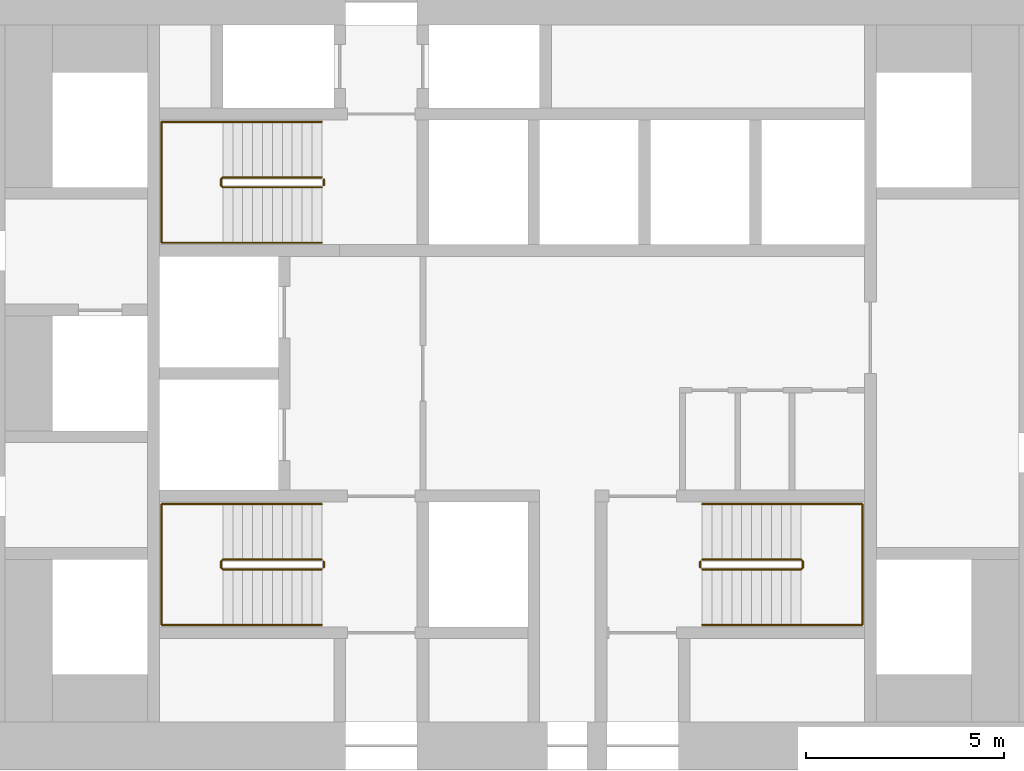
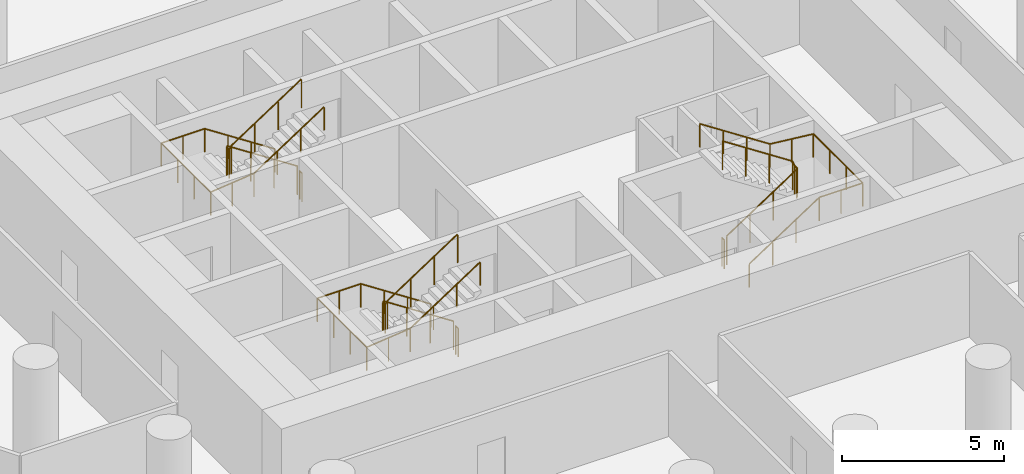
# One storey, part 12 of 12: 9 railings.
"""IFC4 building model written with IfcOpenShell, lengths in metres."""

from ifc_helpers import new_model, si_unit, direction, frame, origin, origin_2d, place, context, subcontext, project, spatial, circle, extrude, material, type_object, element, save


model = new_model("IFC4")

# Units and contexts
model_context = context("Model", 3, precision=1e-05, world=origin(), true_north=direction((0.0, 1.0)))
body_context = subcontext(model_context, "Body", "Model", "MODEL_VIEW")
ifc_project = project(units=[si_unit("LENGTHUNIT", "METRE"), si_unit("AREAUNIT", "SQUARE_METRE"), si_unit("VOLUMEUNIT", "CUBIC_METRE"), si_unit("PLANEANGLEUNIT", "RADIAN"), si_unit("MASSUNIT", "GRAM", prefix="KILO")], contexts=[model_context])

# Site, building, storey
site_placement = place(None, origin())
site = spatial("IfcSite", under=ifc_project, at=site_placement, CompositionType="ELEMENT")
building_placement = place(site_placement, origin())
building = spatial("IfcBuilding", under=site, at=building_placement, Name="Tracery Tower", CompositionType="ELEMENT")
storey_placement = place(building_placement, frame((0.0, 0.0, 103.800048828125)))
storey = spatial("IfcBuildingStorey", under=building, at=storey_placement, Name="L26", CompositionType="ELEMENT", Elevation=103.800048828125)

# Railings
ifc_material_1 = material(Name="Stainless steel and laminated glass", Category="steel")
railing_type_1 = type_object("IfcRailingType", Name="Stair guard 1100", PredefinedType="GUARDRAIL", material=ifc_material_1)
railing_1_placement = place(storey_placement, frame((-4.800048828125, -4.699951171875, 0.16357421875)))
element("IfcRailing", 1, at=railing_1_placement, inside=storey, type_object=railing_type_1, Name="L26 stair ST1 guard 1", PredefinedType="GUARDRAIL", context=body_context, shape_type="SweptSolid", body=[
    extrude(circle(Radius=0.02392578125, at=origin_2d()), frame((0.0, 0.0, 1.076171875), z_axis=(-0.83668449804, 0.0, 0.54768517484), x_axis=(0.0, -1.0, 0.0)), (0.0, 0.0, 1.0), 2.988037109375),
    extrude(circle(Radius=0.02392578125, at=origin_2d()), frame((-2.5, 0.0, 2.71240234375), z_axis=(-0.707106781187, -0.707106781187, 0.0), x_axis=(0.707106781187, -0.707106781187, 0.0)), (0.0, 0.0, 1.0), 0.07080078125),
    extrude(circle(Radius=0.02392578125, at=origin_2d()), frame((-2.550048828125, -0.050048828125, 2.71240234375), z_axis=(0.0, -1.0, 0.0), x_axis=(1.0, 0.0, 0.0)), (0.0, 0.0, 1.0), 0.14990234375),
    extrude(circle(Radius=0.02392578125, at=origin_2d()), frame((-2.550048828125, -0.199951171875, 2.71240234375), z_axis=(0.280808744504, -0.280808744504, 0.917765164963), x_axis=(0.707106781187, 0.707106781187, 0.0)), (0.0, 0.0, 1.0), 0.17822265625),
    extrude(circle(Radius=0.02392578125, at=origin_2d()), frame((-2.5, -0.25, 2.8759765625), z_axis=(0.836721939367, 0.0, 0.547627972425), x_axis=(0.0, 1.0, 0.0)), (0.0, 0.0, 1.0), 2.98779296875),
    extrude(circle(Radius=0.02099609375, at=origin_2d()), origin(), (0.0, 0.0, 1.0), 1.052001953125),
    extrude(circle(Radius=0.02099609375, at=origin_2d()), frame((-0.833251953125, 0.0, 0.54541015625)), (0.0, 0.0, 1.0), 1.052001953125),
    extrude(circle(Radius=0.02099609375, at=origin_2d()), frame((-1.666748046875, 0.0, 1.091064453125)), (0.0, 0.0, 1.0), 1.052001953125),
    extrude(circle(Radius=0.02099609375, at=origin_2d()), frame((-2.5, 0.0, 1.636474609375)), (0.0, 0.0, 1.0), 1.052001953125),
    extrude(circle(Radius=0.02099609375, at=origin_2d()), frame((-2.550048828125, -0.050048828125, 1.636474609375)), (0.0, 0.0, 1.0), 1.052001953125),
    extrude(circle(Radius=0.02099609375, at=origin_2d()), frame((-2.550048828125, -0.199951171875, 1.636474609375)), (0.0, 0.0, 1.0), 1.052001953125),
    extrude(circle(Radius=0.02099609375, at=origin_2d()), frame((-2.5, -0.25, 1.800048828125)), (0.0, 0.0, 1.0), 1.052001953125),
    extrude(circle(Radius=0.02099609375, at=origin_2d()), frame((-1.666748046875, -0.25, 2.345458984375)), (0.0, 0.0, 1.0), 1.052001953125),
    extrude(circle(Radius=0.02099609375, at=origin_2d()), frame((-0.833251953125, -0.25, 2.890869140625)), (0.0, 0.0, 1.0), 1.052001953125),
    extrude(circle(Radius=0.02099609375, at=origin_2d()), frame((0.0, -0.25, 3.436279296875)), (0.0, 0.0, 1.0), 1.052001953125),
])
railing_2_placement = place(storey_placement, frame((-4.75, -4.75, 0.0)))
element("IfcRailing", 2, at=railing_2_placement, inside=storey, type_object=railing_type_1, Name="L26 stair ST1 guard 2", PredefinedType="GUARDRAIL", context=body_context, shape_type="SweptSolid", body=[
    extrude(circle(Radius=0.02392578125, at=origin_2d()), frame((0.0, 0.0, 1.076171875), z_axis=(0.0, -1.0, 0.0), x_axis=(1.0, 0.0, 0.0)), (0.0, 0.0, 1.0), 0.14990234375),
    extrude(circle(Radius=0.02099609375, at=origin_2d()), origin(), (0.0, 0.0, 1.0), 1.052001953125),
    extrude(circle(Radius=0.02099609375, at=origin_2d()), frame((0.0, -0.14990234375, 0.0)), (0.0, 0.0, 1.0), 1.052001953125),
])
railing_3_placement = place(storey_placement, frame((-4.800048828125, 4.949951171875, 0.16357421875)))
element("IfcRailing", 3, at=railing_3_placement, inside=storey, type_object=railing_type_1, Name="L26 stair ST3 guard 1", PredefinedType="GUARDRAIL", context=body_context, shape_type="SweptSolid", body=[
    extrude(circle(Radius=0.02392578125, at=origin_2d()), frame((0.0, 0.0, 1.076171875), z_axis=(-0.83668449804, 0.0, 0.54768517484), x_axis=(0.0, -1.0, 0.0)), (0.0, 0.0, 1.0), 2.988037109375),
    extrude(circle(Radius=0.02392578125, at=origin_2d()), frame((-2.5, 0.0, 2.71240234375), z_axis=(-0.707106781187, -0.707106781187, 0.0), x_axis=(0.707106781187, -0.707106781187, 0.0)), (0.0, 0.0, 1.0), 0.07080078125),
    extrude(circle(Radius=0.02392578125, at=origin_2d()), frame((-2.550048828125, -0.050048828125, 2.71240234375), z_axis=(0.0, -1.0, 0.0), x_axis=(1.0, 0.0, 0.0)), (0.0, 0.0, 1.0), 0.14990234375),
    extrude(circle(Radius=0.02392578125, at=origin_2d()), frame((-2.550048828125, -0.199951171875, 2.71240234375), z_axis=(0.280808744504, -0.280808744504, 0.917765164963), x_axis=(0.707106781187, 0.707106781187, 0.0)), (0.0, 0.0, 1.0), 0.17822265625),
    extrude(circle(Radius=0.02392578125, at=origin_2d()), frame((-2.5, -0.25, 2.8759765625), z_axis=(0.836721939367, 0.0, 0.547627972425), x_axis=(0.0, 1.0, 0.0)), (0.0, 0.0, 1.0), 2.98779296875),
    extrude(circle(Radius=0.02099609375, at=origin_2d()), origin(), (0.0, 0.0, 1.0), 1.052001953125),
    extrude(circle(Radius=0.02099609375, at=origin_2d()), frame((-0.833251953125, 0.0, 0.54541015625)), (0.0, 0.0, 1.0), 1.052001953125),
    extrude(circle(Radius=0.02099609375, at=origin_2d()), frame((-1.666748046875, 0.0, 1.091064453125)), (0.0, 0.0, 1.0), 1.052001953125),
    extrude(circle(Radius=0.02099609375, at=origin_2d()), frame((-2.5, 0.0, 1.636474609375)), (0.0, 0.0, 1.0), 1.052001953125),
    extrude(circle(Radius=0.02099609375, at=origin_2d()), frame((-2.550048828125, -0.050048828125, 1.636474609375)), (0.0, 0.0, 1.0), 1.052001953125),
    extrude(circle(Radius=0.02099609375, at=origin_2d()), frame((-2.550048828125, -0.199951171875, 1.636474609375)), (0.0, 0.0, 1.0), 1.052001953125),
    extrude(circle(Radius=0.02099609375, at=origin_2d()), frame((-2.5, -0.25, 1.800048828125)), (0.0, 0.0, 1.0), 1.052001953125),
    extrude(circle(Radius=0.02099609375, at=origin_2d()), frame((-1.666748046875, -0.25, 2.345458984375)), (0.0, 0.0, 1.0), 1.052001953125),
    extrude(circle(Radius=0.02099609375, at=origin_2d()), frame((-0.833251953125, -0.25, 2.890869140625)), (0.0, 0.0, 1.0), 1.052001953125),
    extrude(circle(Radius=0.02099609375, at=origin_2d()), frame((0.0, -0.25, 3.436279296875)), (0.0, 0.0, 1.0), 1.052001953125),
])
railing_4_placement = place(storey_placement, frame((-4.75, 4.89990234375, 0.0)))
element("IfcRailing", 4, at=railing_4_placement, inside=storey, type_object=railing_type_1, Name="L26 stair ST3 guard 2", PredefinedType="GUARDRAIL", context=body_context, shape_type="SweptSolid", body=[
    extrude(circle(Radius=0.02392578125, at=origin_2d()), frame((0.0, 0.0, 1.076171875), z_axis=(0.0, -1.0, 0.0), x_axis=(1.0, 0.0, 0.0)), (0.0, 0.0, 1.0), 0.14990234375),
    extrude(circle(Radius=0.02099609375, at=origin_2d()), origin(), (0.0, 0.0, 1.0), 1.052001953125),
    extrude(circle(Radius=0.02099609375, at=origin_2d()), frame((0.0, -0.14990234375, 0.0)), (0.0, 0.0, 1.0), 1.052001953125),
])
railing_5_placement = place(storey_placement, frame((4.800048828125, -4.949951171875, 0.16357421875)))
element("IfcRailing", 5, at=railing_5_placement, inside=storey, type_object=railing_type_1, Name="L26 stair ST2 guard 1", PredefinedType="GUARDRAIL", context=body_context, shape_type="SweptSolid", body=[
    extrude(circle(Radius=0.02392578125, at=origin_2d()), frame((0.0, 0.0, 1.076171875), z_axis=(0.83668449804, 0.0, 0.54768517484), x_axis=(0.0, 1.0, 0.0)), (0.0, 0.0, 1.0), 2.988037109375),
    extrude(circle(Radius=0.02392578125, at=origin_2d()), frame((2.5, 0.0, 2.71240234375), z_axis=(0.707106781187, 0.707106781187, 0.0), x_axis=(-0.707106781187, 0.707106781187, 0.0)), (0.0, 0.0, 1.0), 0.07080078125),
    extrude(circle(Radius=0.02392578125, at=origin_2d()), frame((2.550048828125, 0.050048828125, 2.71240234375), z_axis=(0.0, 1.0, 0.0), x_axis=(-1.0, 0.0, 0.0)), (0.0, 0.0, 1.0), 0.14990234375),
    extrude(circle(Radius=0.02392578125, at=origin_2d()), frame((2.550048828125, 0.199951171875, 2.71240234375), z_axis=(-0.280808744504, 0.280808744504, 0.917765164963), x_axis=(-0.707106781187, -0.707106781187, 0.0)), (0.0, 0.0, 1.0), 0.17822265625),
    extrude(circle(Radius=0.02392578125, at=origin_2d()), frame((2.5, 0.25, 2.8759765625), z_axis=(-0.836721939367, 0.0, 0.547627972425), x_axis=(0.0, -1.0, 0.0)), (0.0, 0.0, 1.0), 2.98779296875),
    extrude(circle(Radius=0.02099609375, at=origin_2d()), origin(), (0.0, 0.0, 1.0), 1.052001953125),
    extrude(circle(Radius=0.02099609375, at=origin_2d()), frame((0.833251953125, 0.0, 0.54541015625)), (0.0, 0.0, 1.0), 1.052001953125),
    extrude(circle(Radius=0.02099609375, at=origin_2d()), frame((1.666748046875, 0.0, 1.091064453125)), (0.0, 0.0, 1.0), 1.052001953125),
    extrude(circle(Radius=0.02099609375, at=origin_2d()), frame((2.5, 0.0, 1.636474609375)), (0.0, 0.0, 1.0), 1.052001953125),
    extrude(circle(Radius=0.02099609375, at=origin_2d()), frame((2.550048828125, 0.050048828125, 1.636474609375)), (0.0, 0.0, 1.0), 1.052001953125),
    extrude(circle(Radius=0.02099609375, at=origin_2d()), frame((2.550048828125, 0.199951171875, 1.636474609375)), (0.0, 0.0, 1.0), 1.052001953125),
    extrude(circle(Radius=0.02099609375, at=origin_2d()), frame((2.5, 0.25, 1.800048828125)), (0.0, 0.0, 1.0), 1.052001953125),
    extrude(circle(Radius=0.02099609375, at=origin_2d()), frame((1.666748046875, 0.25, 2.345458984375)), (0.0, 0.0, 1.0), 1.052001953125),
    extrude(circle(Radius=0.02099609375, at=origin_2d()), frame((0.833251953125, 0.25, 2.890869140625)), (0.0, 0.0, 1.0), 1.052001953125),
    extrude(circle(Radius=0.02099609375, at=origin_2d()), frame((0.0, 0.25, 3.436279296875)), (0.0, 0.0, 1.0), 1.052001953125),
])
railing_6_placement = place(storey_placement, frame((4.75, -4.89990234375, 0.0)))
element("IfcRailing", 6, at=railing_6_placement, inside=storey, type_object=railing_type_1, Name="L26 stair ST2 guard 2", PredefinedType="GUARDRAIL", context=body_context, shape_type="SweptSolid", body=[
    extrude(circle(Radius=0.02392578125, at=origin_2d()), frame((0.0, 0.0, 1.076171875), z_axis=(0.0, 1.0, 0.0), x_axis=(-1.0, 0.0, 0.0)), (0.0, 0.0, 1.0), 0.14990234375),
    extrude(circle(Radius=0.02099609375, at=origin_2d()), origin(), (0.0, 0.0, 1.0), 1.052001953125),
    extrude(circle(Radius=0.02099609375, at=origin_2d()), frame((0.0, 0.14990234375, 0.0)), (0.0, 0.0, 1.0), 1.052001953125),
])
ifc_material_2 = material(Name="Stainless steel and laminated glass", Category="steel")
railing_type_2 = type_object("IfcRailingType", Name="Stair handrail 900", PredefinedType="HANDRAIL", material=ifc_material_2)
railing_7_placement = place(storey_placement, frame((-4.800048828125, -3.300048828125, 0.16357421875)))
element("IfcRailing", 7, at=railing_7_placement, inside=storey, type_object=railing_type_2, Name="L26 stair ST1 handrail 1", PredefinedType="HANDRAIL", context=body_context, shape_type="SweptSolid", body=[
    extrude(circle(Radius=0.02392578125, at=origin_2d()), frame((0.0, 0.0, 0.8759765625), z_axis=(-0.83668449804, 0.0, 0.54768517484), x_axis=(0.0, -1.0, 0.0)), (0.0, 0.0, 1.0), 2.988037109375),
    extrude(circle(Radius=0.02392578125, at=origin_2d()), frame((-2.5, 0.0, 2.51220703125), z_axis=(-1.0, 0.0, 0.0), x_axis=(0.0, -1.0, 0.0)), (0.0, 0.0, 1.0), 1.550048828125),
    extrude(circle(Radius=0.02392578125, at=origin_2d()), frame((-4.050048828125, 0.0, 2.51220703125), z_axis=(0.0, -1.0, 0.0), x_axis=(1.0, 0.0, 0.0)), (0.0, 0.0, 1.0), 3.050048828125),
    extrude(circle(Radius=0.02392578125, at=origin_2d()), frame((-4.050048828125, -3.050048828125, 2.51220703125), z_axis=(0.994477953863, 0.0, 0.104945696817), x_axis=(0.0, 1.0, 0.0)), (0.0, 0.0, 1.0), 1.55859375),
    extrude(circle(Radius=0.02392578125, at=origin_2d()), frame((-2.5, -3.050048828125, 2.67578125), z_axis=(0.836721939367, 0.0, 0.547627972425), x_axis=(0.0, 1.0, 0.0)), (0.0, 0.0, 1.0), 2.98779296875),
    extrude(circle(Radius=0.02099609375, at=origin_2d()), origin(), (0.0, 0.0, 1.0), 0.851806640625),
    extrude(circle(Radius=0.02099609375, at=origin_2d()), frame((-0.833251953125, 0.0, 0.54541015625)), (0.0, 0.0, 1.0), 0.851806640625),
    extrude(circle(Radius=0.02099609375, at=origin_2d()), frame((-1.666748046875, 0.0, 1.091064453125)), (0.0, 0.0, 1.0), 0.851806640625),
    extrude(circle(Radius=0.02099609375, at=origin_2d()), frame((-2.5, 0.0, 1.636474609375)), (0.0, 0.0, 1.0), 0.851806640625),
    extrude(circle(Radius=0.02099609375, at=origin_2d()), frame((-3.27490234375, 0.0, 1.636474609375)), (0.0, 0.0, 1.0), 0.851806640625),
    extrude(circle(Radius=0.02099609375, at=origin_2d()), frame((-4.050048828125, 0.0, 1.636474609375)), (0.0, 0.0, 1.0), 0.851806640625),
    extrude(circle(Radius=0.02099609375, at=origin_2d()), frame((-4.050048828125, -1.0166015625, 1.636474609375)), (0.0, 0.0, 1.0), 0.851806640625),
    extrude(circle(Radius=0.02099609375, at=origin_2d()), frame((-4.050048828125, -2.033447265625, 1.636474609375)), (0.0, 0.0, 1.0), 0.851806640625),
    extrude(circle(Radius=0.02099609375, at=origin_2d()), frame((-4.050048828125, -3.050048828125, 1.636474609375)), (0.0, 0.0, 1.0), 0.851806640625),
    extrude(circle(Radius=0.02099609375, at=origin_2d()), frame((-3.27490234375, -3.050048828125, 1.71826171875)), (0.0, 0.0, 1.0), 0.851806640625),
    extrude(circle(Radius=0.02099609375, at=origin_2d()), frame((-2.5, -3.050048828125, 1.800048828125)), (0.0, 0.0, 1.0), 0.851806640625),
    extrude(circle(Radius=0.02099609375, at=origin_2d()), frame((-1.666748046875, -3.050048828125, 2.345458984375)), (0.0, 0.0, 1.0), 0.851806640625),
    extrude(circle(Radius=0.02099609375, at=origin_2d()), frame((-0.833251953125, -3.050048828125, 2.890869140625)), (0.0, 0.0, 1.0), 0.851806640625),
    extrude(circle(Radius=0.02099609375, at=origin_2d()), frame((0.0, -3.050048828125, 3.436279296875)), (0.0, 0.0, 1.0), 0.851806640625),
])
railing_8_placement = place(storey_placement, frame((-4.800048828125, 6.35009765625, 0.16357421875)))
element("IfcRailing", 8, at=railing_8_placement, inside=storey, type_object=railing_type_2, Name="L26 stair ST3 handrail 1", PredefinedType="HANDRAIL", context=body_context, shape_type="SweptSolid", body=[
    extrude(circle(Radius=0.02392578125, at=origin_2d()), frame((0.0, 0.0, 0.8759765625), z_axis=(-0.83668449804, 0.0, 0.54768517484), x_axis=(0.0, -1.0, 0.0)), (0.0, 0.0, 1.0), 2.988037109375),
    extrude(circle(Radius=0.02392578125, at=origin_2d()), frame((-2.5, 0.0, 2.51220703125), z_axis=(-1.0, 0.0, 0.0), x_axis=(0.0, -1.0, 0.0)), (0.0, 0.0, 1.0), 1.550048828125),
    extrude(circle(Radius=0.02392578125, at=origin_2d()), frame((-4.050048828125, 0.0, 2.51220703125), z_axis=(0.0, -1.0, 0.0), x_axis=(1.0, 0.0, 0.0)), (0.0, 0.0, 1.0), 3.050048828125),
    extrude(circle(Radius=0.02392578125, at=origin_2d()), frame((-4.050048828125, -3.050048828125, 2.51220703125), z_axis=(0.994477953863, 0.0, 0.104945696817), x_axis=(0.0, 1.0, 0.0)), (0.0, 0.0, 1.0), 1.55859375),
    extrude(circle(Radius=0.02392578125, at=origin_2d()), frame((-2.5, -3.050048828125, 2.67578125), z_axis=(0.836721939367, 0.0, 0.547627972425), x_axis=(0.0, 1.0, 0.0)), (0.0, 0.0, 1.0), 2.98779296875),
    extrude(circle(Radius=0.02099609375, at=origin_2d()), origin(), (0.0, 0.0, 1.0), 0.851806640625),
    extrude(circle(Radius=0.02099609375, at=origin_2d()), frame((-0.833251953125, 0.0, 0.54541015625)), (0.0, 0.0, 1.0), 0.851806640625),
    extrude(circle(Radius=0.02099609375, at=origin_2d()), frame((-1.666748046875, 0.0, 1.091064453125)), (0.0, 0.0, 1.0), 0.851806640625),
    extrude(circle(Radius=0.02099609375, at=origin_2d()), frame((-2.5, 0.0, 1.636474609375)), (0.0, 0.0, 1.0), 0.851806640625),
    extrude(circle(Radius=0.02099609375, at=origin_2d()), frame((-3.27490234375, 0.0, 1.636474609375)), (0.0, 0.0, 1.0), 0.851806640625),
    extrude(circle(Radius=0.02099609375, at=origin_2d()), frame((-4.050048828125, 0.0, 1.636474609375)), (0.0, 0.0, 1.0), 0.851806640625),
    extrude(circle(Radius=0.02099609375, at=origin_2d()), frame((-4.050048828125, -1.0166015625, 1.636474609375)), (0.0, 0.0, 1.0), 0.851806640625),
    extrude(circle(Radius=0.02099609375, at=origin_2d()), frame((-4.050048828125, -2.033447265625, 1.636474609375)), (0.0, 0.0, 1.0), 0.851806640625),
    extrude(circle(Radius=0.02099609375, at=origin_2d()), frame((-4.050048828125, -3.050048828125, 1.636474609375)), (0.0, 0.0, 1.0), 0.851806640625),
    extrude(circle(Radius=0.02099609375, at=origin_2d()), frame((-3.27490234375, -3.050048828125, 1.71826171875)), (0.0, 0.0, 1.0), 0.851806640625),
    extrude(circle(Radius=0.02099609375, at=origin_2d()), frame((-2.5, -3.050048828125, 1.800048828125)), (0.0, 0.0, 1.0), 0.851806640625),
    extrude(circle(Radius=0.02099609375, at=origin_2d()), frame((-1.666748046875, -3.050048828125, 2.345458984375)), (0.0, 0.0, 1.0), 0.851806640625),
    extrude(circle(Radius=0.02099609375, at=origin_2d()), frame((-0.833251953125, -3.050048828125, 2.890869140625)), (0.0, 0.0, 1.0), 0.851806640625),
    extrude(circle(Radius=0.02099609375, at=origin_2d()), frame((0.0, -3.050048828125, 3.436279296875)), (0.0, 0.0, 1.0), 0.851806640625),
])
railing_9_placement = place(storey_placement, frame((4.800048828125, -6.35009765625, 0.16357421875)))
element("IfcRailing", 9, at=railing_9_placement, inside=storey, type_object=railing_type_2, Name="L26 stair ST2 handrail 1", PredefinedType="HANDRAIL", context=body_context, shape_type="SweptSolid", body=[
    extrude(circle(Radius=0.02392578125, at=origin_2d()), frame((0.0, 0.0, 0.8759765625), z_axis=(0.83668449804, 0.0, 0.54768517484), x_axis=(0.0, 1.0, 0.0)), (0.0, 0.0, 1.0), 2.988037109375),
    extrude(circle(Radius=0.02392578125, at=origin_2d()), frame((2.5, 0.0, 2.51220703125), z_axis=(1.0, 0.0, 0.0), x_axis=(0.0, 1.0, 0.0)), (0.0, 0.0, 1.0), 1.550048828125),
    extrude(circle(Radius=0.02392578125, at=origin_2d()), frame((4.050048828125, 0.0, 2.51220703125), z_axis=(0.0, 1.0, 0.0), x_axis=(-1.0, 0.0, 0.0)), (0.0, 0.0, 1.0), 3.050048828125),
    extrude(circle(Radius=0.02392578125, at=origin_2d()), frame((4.050048828125, 3.050048828125, 2.51220703125), z_axis=(-0.994477953863, 0.0, 0.104945696817), x_axis=(0.0, -1.0, 0.0)), (0.0, 0.0, 1.0), 1.55859375),
    extrude(circle(Radius=0.02392578125, at=origin_2d()), frame((2.5, 3.050048828125, 2.67578125), z_axis=(-0.836721939367, 0.0, 0.547627972425), x_axis=(0.0, -1.0, 0.0)), (0.0, 0.0, 1.0), 2.98779296875),
    extrude(circle(Radius=0.02099609375, at=origin_2d()), origin(), (0.0, 0.0, 1.0), 0.851806640625),
    extrude(circle(Radius=0.02099609375, at=origin_2d()), frame((0.833251953125, 0.0, 0.54541015625)), (0.0, 0.0, 1.0), 0.851806640625),
    extrude(circle(Radius=0.02099609375, at=origin_2d()), frame((1.666748046875, 0.0, 1.091064453125)), (0.0, 0.0, 1.0), 0.851806640625),
    extrude(circle(Radius=0.02099609375, at=origin_2d()), frame((2.5, 0.0, 1.636474609375)), (0.0, 0.0, 1.0), 0.851806640625),
    extrude(circle(Radius=0.02099609375, at=origin_2d()), frame((3.27490234375, 0.0, 1.636474609375)), (0.0, 0.0, 1.0), 0.851806640625),
    extrude(circle(Radius=0.02099609375, at=origin_2d()), frame((4.050048828125, 0.0, 1.636474609375)), (0.0, 0.0, 1.0), 0.851806640625),
    extrude(circle(Radius=0.02099609375, at=origin_2d()), frame((4.050048828125, 1.0166015625, 1.636474609375)), (0.0, 0.0, 1.0), 0.851806640625),
    extrude(circle(Radius=0.02099609375, at=origin_2d()), frame((4.050048828125, 2.033447265625, 1.636474609375)), (0.0, 0.0, 1.0), 0.851806640625),
    extrude(circle(Radius=0.02099609375, at=origin_2d()), frame((4.050048828125, 3.050048828125, 1.636474609375)), (0.0, 0.0, 1.0), 0.851806640625),
    extrude(circle(Radius=0.02099609375, at=origin_2d()), frame((3.27490234375, 3.050048828125, 1.71826171875)), (0.0, 0.0, 1.0), 0.851806640625),
    extrude(circle(Radius=0.02099609375, at=origin_2d()), frame((2.5, 3.050048828125, 1.800048828125)), (0.0, 0.0, 1.0), 0.851806640625),
    extrude(circle(Radius=0.02099609375, at=origin_2d()), frame((1.666748046875, 3.050048828125, 2.345458984375)), (0.0, 0.0, 1.0), 0.851806640625),
    extrude(circle(Radius=0.02099609375, at=origin_2d()), frame((0.833251953125, 3.050048828125, 2.890869140625)), (0.0, 0.0, 1.0), 0.851806640625),
    extrude(circle(Radius=0.02099609375, at=origin_2d()), frame((0.0, 3.050048828125, 3.436279296875)), (0.0, 0.0, 1.0), 0.851806640625),
])

save(model, "model.ifc")
